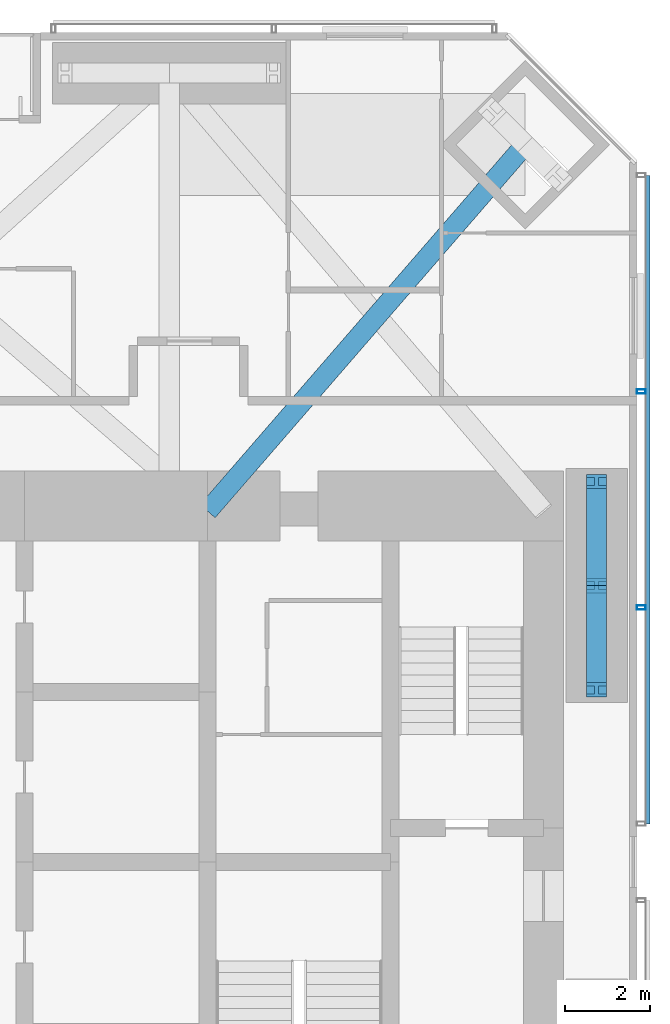
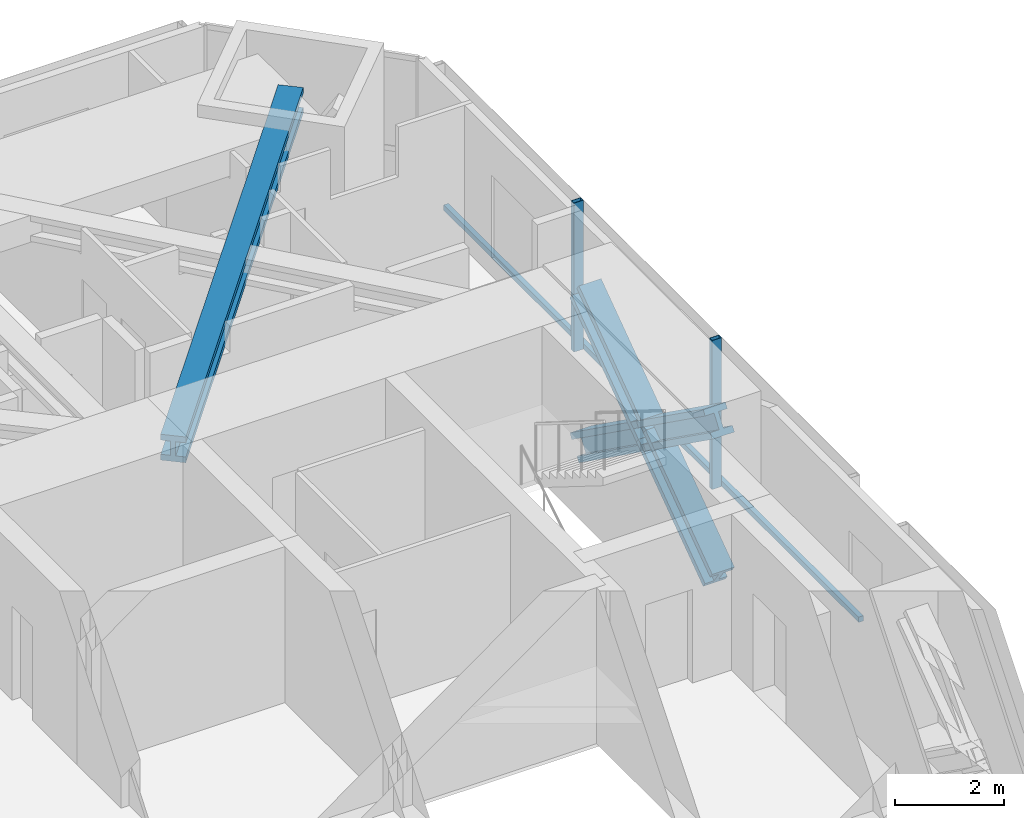
# One storey, part 9 of 22: 8 members, 1 element without a shape of its own.
"""IFC4 building model written with IfcOpenShell, lengths in metres."""

from ifc_helpers import new_model, si_unit, direction, frame, origin, origin_2d, place, context, subcontext, project, spatial, rectangle, hollow_rectangle, i_section, extrude, material, material_profile, profile_set, type_object, element, aggregate, save


model = new_model("IFC4")

# Units and contexts
model_context = context("Model", 3, precision=1e-05, world=origin(), true_north=direction((0.0, 1.0)))
body_context = subcontext(model_context, "Body", "Model", "MODEL_VIEW")
ifc_project = project(units=[si_unit("LENGTHUNIT", "METRE"), si_unit("AREAUNIT", "SQUARE_METRE"), si_unit("VOLUMEUNIT", "CUBIC_METRE"), si_unit("PLANEANGLEUNIT", "RADIAN"), si_unit("MASSUNIT", "GRAM", prefix="KILO")], contexts=[model_context])

# Site, building, storey
site_placement = place(None, origin())
site = spatial("IfcSite", under=ifc_project, at=site_placement, CompositionType="ELEMENT")
building_placement = place(site_placement, origin())
building = spatial("IfcBuilding", under=site, at=building_placement, Name="Jalousie Tower", CompositionType="ELEMENT")
storey_placement = place(building_placement, frame((0.0, 0.0, 71.25)))
storey = spatial("IfcBuildingStorey", under=building, at=storey_placement, Name="L19", CompositionType="ELEMENT", Elevation=71.25)

# Members
ifc_material_1 = material(Name="Steel ASTM A992 Grade 50", Category="steel")
ifc_material_profile_1 = material_profile(ifc_material_1, i_section(OverallWidth=0.472412109375, OverallDepth=0.5791015625, WebThickness=0.094970703125, FlangeThickness=0.1298828125, at=origin_2d()), Name="W14X808")
ifc_profile_set_1 = profile_set([ifc_material_profile_1], Name="Steel ASTM A992 Grade 50")
member_type_1 = type_object("IfcMemberType", Name="KINK FLOOR TRUSS DIAGONAL W14X808", PredefinedType="BRACE", material=ifc_profile_set_1)
member_1_placement = place(storey_placement, frame((43.36865234375, 35.36865234375, 2.930419921875), z_axis=(-0.654893047617, -0.755721573189, 0.0), x_axis=(0.755721573189, -0.654893047617, 0.0)))
element("IfcMember", 1, at=member_1_placement, inside=storey, type_object=member_type_1, Name="Kink floor truss L20 08 diagonal", PredefinedType="BRACE", context=body_context, shape_type="SweptSolid", body=[
    extrude(i_section(OverallWidth=0.472412109375, OverallDepth=0.5791015625, WebThickness=0.094970703125, FlangeThickness=0.1298828125, at=origin_2d()), origin(), (0.0, 0.0, 1.0), 11.404541015625),
])
ifc_material_2 = material(Name="Steel ASTM A992 Grade 50", Category="steel")
ifc_material_profile_2 = material_profile(ifc_material_2, i_section(OverallWidth=0.472412109375, OverallDepth=0.5791015625, WebThickness=0.094970703125, FlangeThickness=0.1298828125, at=origin_2d()), Name="W14X808")
ifc_profile_set_2 = profile_set([ifc_material_profile_2], Name="Steel ASTM A992 Grade 50")
member_type_2 = type_object("IfcMemberType", Name="PERIMETER BRACE W14X808", PredefinedType="BRACE", material=ifc_profile_set_2)
for number, where, z_axis, x_axis, name in (
    (2, (45.050048828125, 22.550048828125, -0.60009765625), (0.0, 0.813727992185, 0.581245864273), (-1.0, 0.0, 0.0), "Perimeter brace 07 L19 part 1"),
    (3, (45.050048828125, 25.0, 1.14990234375), (0.0, 0.813727992185, 0.581245864273), (-1.0, 0.0, 0.0), "Perimeter brace 07 L19 part 2"),
    (4, (45.050048828125, 27.449951171875, -0.60009765625), (0.0, -0.813727992185, 0.581245864273), (1.0, 0.0, 0.0), "Perimeter brace 07 L19 part 3"),
    (5, (45.050048828125, 25.0, 1.14990234375), (0.0, -0.813727992185, 0.581245864273), (1.0, 0.0, 0.0), "Perimeter brace 07 L19 part 4"),
):
    element("IfcMember", number, at=place(storey_placement, frame(where, z_axis=z_axis, x_axis=x_axis)), inside=storey, type_object=member_type_2, Name=name, PredefinedType="BRACE", context=body_context, shape_type="SweptSolid", body=[
        extrude(i_section(OverallWidth=0.472412109375, OverallDepth=0.5791015625, WebThickness=0.094970703125, FlangeThickness=0.1298828125, at=origin_2d()), origin(), (0.0, 0.0, 1.0), 3.0107421875),
    ])

# Curtain wall, members
ifc_material_3 = material(Name="Perforated aluminium sheet", Category="aluminium")
curtain_wall_type = type_object("IfcCurtainWallType", Name="SOLAR SCREEN SS-2", PredefinedType="USERDEFINED", material=ifc_material_3)
curtain_wall_placement = place(storey_placement, origin())
curtain_wall = element("IfcCurtainWall", 6, at=curtain_wall_placement, inside=storey, type_object=curtain_wall_type, Name="Solar screen L19", ObjectType="SOLAR SCREEN SS-2", PredefinedType="USERDEFINED")
ifc_material_4 = material(Name="Steel ASTM A500 Grade C", Category="steel")
ifc_material_profile_3 = material_profile(ifc_material_4, hollow_rectangle(XDim=0.1015625, YDim=0.203125, WallThickness=0.0078125, at=origin_2d()), Name="HSS8X4X5/16")
ifc_profile_set_3 = profile_set([ifc_material_profile_3], Name="Steel ASTM A500 Grade C")
member_type_3 = type_object("IfcMemberType", Name="SOLAR SCREEN SS-2 MULLION", PredefinedType="MULLION", material=ifc_profile_set_3)
member_2_placement = place(storey_placement, frame((46.0966796875, 24.48291015625, -0.1201171875), z_axis=(0.0, 0.0, 1.0), x_axis=(0.0, 1.0, 0.0)))
member_2 = element("IfcMember", 7, at=member_2_placement, type_object=member_type_3, Name="SS2 post 2", PredefinedType="MULLION", context=body_context, shape_type="SweptSolid", body=[
    extrude(hollow_rectangle(XDim=0.1015625, YDim=0.203125, WallThickness=0.0078125, at=origin_2d()), origin(), (0.0, 0.0, 1.0), 3.340087890625),
])
member_3_placement = place(storey_placement, frame((46.0966796875, 29.56591796875, -0.1201171875), z_axis=(0.0, 0.0, 1.0), x_axis=(0.0, 1.0, 0.0)))
member_3 = element("IfcMember", 8, at=member_3_placement, type_object=member_type_3, Name="SS2 post 3", PredefinedType="MULLION", context=body_context, shape_type="SweptSolid", body=[
    extrude(hollow_rectangle(XDim=0.1015625, YDim=0.203125, WallThickness=0.0078125, at=origin_2d()), origin(), (0.0, 0.0, 1.0), 3.340087890625),
])
ifc_material_5 = material(Name="Extruded aluminium screen rail", Category="aluminium")
ifc_material_profile_4 = material_profile(ifc_material_5, rectangle(XDim=0.1015625, YDim=0.1201171875, at=origin_2d()), Name="RAIL 102x120")
ifc_profile_set_4 = profile_set([ifc_material_profile_4], Name="Extruded aluminium screen rail")
member_type_4 = type_object("IfcMemberType", Name="SOLAR SCREEN SS-2 TRANSOM", PredefinedType="USERDEFINED", material=ifc_profile_set_4)
member_4_placement = place(storey_placement, frame((46.2490234375, 19.39990234375, -0.06005859375), z_axis=(0.0, 1.0, 0.0), x_axis=(-1.0, 0.0, 0.0)))
member_4 = element("IfcMember", 9, at=member_4_placement, type_object=member_type_4, Name="SS2 rail", ObjectType="TRANSOM", PredefinedType="USERDEFINED", context=body_context, shape_type="SweptSolid", body=[
    extrude(rectangle(XDim=0.1015625, YDim=0.1201171875, at=origin_2d()), origin(), (0.0, 0.0, 1.0), 15.248779296875),
])
aggregate(curtain_wall, [member_2, member_3, member_4])

save(model, "model.ifc")
